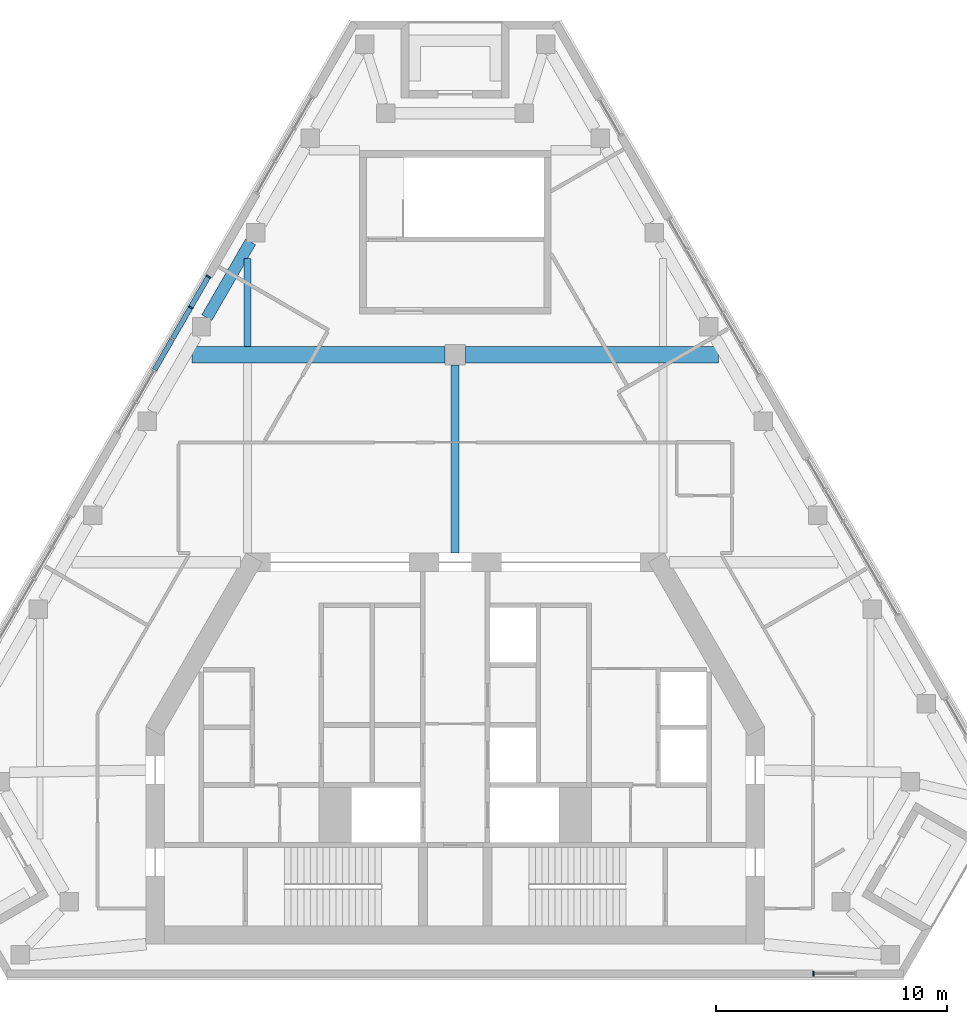
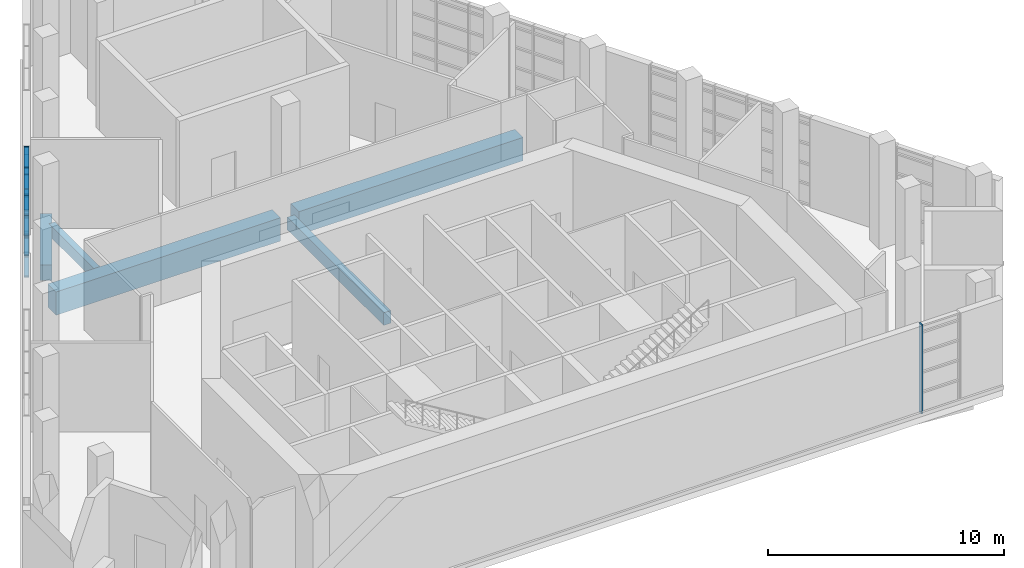
# One storey, part 3 of 13: 18 members, 5 beams, 2 elements without a shape of their own.
"""IFC4 building model written with IfcOpenShell, lengths in metres."""

from ifc_helpers import new_model, si_unit, direction, frame, origin, origin_2d, place, context, subcontext, project, spatial, rectangle, extrude, material, material_profile, profile_set, type_object, element, aggregate, save


model = new_model("IFC4")

# Units and contexts
model_context = context("Model", 3, precision=1e-05, world=origin(), true_north=direction((0.0, 1.0)))
body_context = subcontext(model_context, "Body", "Model", "MODEL_VIEW")
ifc_project = project(units=[si_unit("LENGTHUNIT", "METRE"), si_unit("AREAUNIT", "SQUARE_METRE"), si_unit("VOLUMEUNIT", "CUBIC_METRE"), si_unit("PLANEANGLEUNIT", "RADIAN"), si_unit("MASSUNIT", "GRAM", prefix="KILO")], contexts=[model_context])

# Site, building, storey
site_placement = place(None, origin())
site = spatial("IfcSite", under=ifc_project, at=site_placement, CompositionType="ELEMENT")
building_placement = place(site_placement, origin())
building = spatial("IfcBuilding", under=site, at=building_placement, Name="Fogline Exchange Tower", CompositionType="ELEMENT")
storey_placement = place(building_placement, frame((0.0, 0.0, 339.300048828125)))
storey = spatial("IfcBuildingStorey", under=building, at=storey_placement, Name="L77", CompositionType="ELEMENT", Elevation=339.300048828125)

# Beams
ifc_material_1 = material(Name="Concrete C40", Category="concrete")
ifc_material_profile_1 = material_profile(ifc_material_1, rectangle(XDim=0.300048828125, YDim=0.60009765625, at=origin_2d()), Name="RC 300x600")
ifc_profile_set_1 = profile_set([ifc_material_profile_1], Name="Concrete C40")
beam_type_1 = type_object("IfcBeamType", Name="B06", PredefinedType="BEAM", material=ifc_profile_set_1)
beam_1_placement = place(storey_placement, frame((-9.0, 27.35009765625, -0.699951171875), z_axis=(0.0, 1.0, 0.0), x_axis=(-1.0, 0.0, 0.0)))
element("IfcBeam", 1, at=beam_1_placement, inside=storey, type_object=beam_type_1, Name="SB004", PredefinedType="BEAM", context=body_context, shape_type="SweptSolid", body=[
    extrude(rectangle(XDim=0.300048828125, YDim=0.60009765625, at=origin_2d()), origin(), (0.0, 0.0, 1.0), 3.812255859375),
])
ifc_material_profile_2 = material_profile(ifc_material_1, rectangle(XDim=0.5, YDim=0.800048828125, at=origin_2d()), Name="RC 500x800")
ifc_profile_set_2 = profile_set([ifc_material_profile_2], Name="Concrete C40")
beam_type_2 = type_object("IfcBeamType", Name="B10", PredefinedType="BEAM", material=ifc_profile_set_2)
beam_2_placement = place(storey_placement, frame((-8.867919921875, 31.89111328125, -0.800048828125), z_axis=(-0.499969613651, -0.86604294664, 0.0), x_axis=(0.86604294664, -0.499969613651, 0.0)))
element("IfcBeam", 2, at=beam_2_placement, inside=storey, type_object=beam_type_2, Name="RB022", PredefinedType="BEAM", context=body_context, shape_type="SweptSolid", body=[
    extrude(rectangle(XDim=0.5, YDim=0.800048828125, at=origin_2d()), origin(), (0.0, 0.0, 1.0), 3.790771484375),
])
ifc_material_profile_3 = material_profile(ifc_material_1, rectangle(XDim=0.35009765625, YDim=0.64990234375, at=origin_2d()), Name="RC 350x650")
ifc_profile_set_3 = profile_set([ifc_material_profile_3], Name="Concrete C40")
beam_type_3 = type_object("IfcBeamType", Name="B16", PredefinedType="BEAM", material=ifc_profile_set_3)
beam_3_placement = place(storey_placement, frame((0.0, 18.39990234375, -0.72509765625), z_axis=(0.0, 1.0, 0.0), x_axis=(-1.0, 0.0, 0.0)))
element("IfcBeam", 3, at=beam_3_placement, inside=storey, type_object=beam_type_3, Name="SB005", PredefinedType="BEAM", context=body_context, shape_type="SweptSolid", body=[
    extrude(rectangle(XDim=0.35009765625, YDim=0.64990234375, at=origin_2d()), origin(), (0.0, 0.0, 1.0), 8.150146484375),
])
ifc_material_profile_4 = material_profile(ifc_material_1, rectangle(XDim=0.699951171875, YDim=1.199951171875, at=origin_2d()), Name="RC 700x1200")
ifc_profile_set_4 = profile_set([ifc_material_profile_4], Name="Concrete C40")
beam_type_4 = type_object("IfcBeamType", Name="B17", PredefinedType="BEAM", material=ifc_profile_set_4)
for number, where, z_axis, x_axis, name in (
    (4, (-11.4033203125, 27.0, -1.0), (1.0, 0.0, 0.0), (0.0, 1.0, 0.0), "GB005"),
    (5, (0.449951171875, 27.0, -1.0), (1.0, 0.0, 0.0), (0.0, 1.0, 0.0), "GB006"),
):
    element("IfcBeam", number, at=place(storey_placement, frame(where, z_axis=z_axis, x_axis=x_axis)), inside=storey, type_object=beam_type_4, Name=name, PredefinedType="BEAM", context=body_context, shape_type="SweptSolid", body=[
        extrude(rectangle(XDim=0.699951171875, YDim=1.199951171875, at=origin_2d()), origin(), (0.0, 0.0, 1.0), 10.953369140625),
    ])

# Curtain wall, member
ifc_material_2 = material(Name="Aluminium and glass", Category="aluminium")
curtain_wall_type = type_object("IfcCurtainWallType", Name="CW5", PredefinedType="NOTDEFINED", material=ifc_material_2)
curtain_wall_1_placement = place(storey_placement, origin())
curtain_wall_1 = element("IfcCurtainWall", 6, at=curtain_wall_1_placement, inside=storey, type_object=curtain_wall_type, Name="CW5 L77 S run 1", PredefinedType="NOTDEFINED")
ifc_material_3 = material(Name="Aluminium", Category="aluminium")
ifc_material_profile_5 = material_profile(ifc_material_3, rectangle(XDim=0.219970703125, YDim=0.06494140625, at=origin_2d()), Name="Mullion 65x220")
ifc_profile_set_5 = profile_set([ifc_material_profile_5], Name="Aluminium")
member_type_1 = type_object("IfcMemberType", Name="CW5-M", PredefinedType="MULLION", material=ifc_profile_set_5)
member_1_placement = place(storey_placement, frame((15.532470703125, 0.169921875, 0.0), z_axis=(0.0, 0.0, 1.0), x_axis=(0.0, 1.0, 0.0)))
member_1 = element("IfcMember", 7, at=member_1_placement, type_object=member_type_1, Name="CW5-T25-01 mullion 1", PredefinedType="MULLION", context=body_context, shape_type="SweptSolid", body=[
    extrude(rectangle(XDim=0.219970703125, YDim=0.06494140625, at=origin_2d()), origin(), (0.0, 0.0, 1.0), 4.599853515625),
])
aggregate(curtain_wall_1, [member_1])

# Curtain wall, members
curtain_wall_2_placement = place(storey_placement, origin())
curtain_wall_2 = element("IfcCurtainWall", 8, at=curtain_wall_2_placement, inside=storey, type_object=curtain_wall_type, Name="CW5 L77 W run 2", PredefinedType="NOTDEFINED")
member_2_placement = place(storey_placement, frame((-10.6953125, 30.385986328125, 0.0), z_axis=(0.0, 0.0, 1.0), x_axis=(0.866025393993, -0.500000016959, 0.0)))
member_2 = element("IfcMember", 9, at=member_2_placement, type_object=member_type_1, Name="CW5-T25-07 mullion 1", PredefinedType="MULLION", context=body_context, shape_type="SweptSolid", body=[
    extrude(rectangle(XDim=0.219970703125, YDim=0.06494140625, at=origin_2d()), origin(), (0.0, 0.0, 1.0), 4.599853515625),
])
member_3_placement = place(storey_placement, frame((-11.467529296875, 29.048583984375, 0.0), z_axis=(0.0, 0.0, 1.0), x_axis=(0.866025393993, -0.500000016959, 0.0)))
member_3 = element("IfcMember", 10, at=member_3_placement, type_object=member_type_1, Name="CW5-T25-07 mullion 2", PredefinedType="MULLION", context=body_context, shape_type="SweptSolid", body=[
    extrude(rectangle(XDim=0.219970703125, YDim=0.06494140625, at=origin_2d()), origin(), (0.0, 0.0, 1.0), 4.599853515625),
])
ifc_material_profile_6 = material_profile(ifc_material_3, rectangle(XDim=0.219970703125, YDim=0.080078125, at=origin_2d()), Name="Transom 80x220")
ifc_profile_set_6 = profile_set([ifc_material_profile_6], Name="Aluminium")
member_type_2 = type_object("IfcMemberType", Name="CW5-T", PredefinedType="USERDEFINED", material=ifc_profile_set_6)
member_4_placement = place(storey_placement, frame((-10.71142578125, 30.35791015625, 0.0400390625), z_axis=(-0.500008142102, -0.866020702889, 0.0), x_axis=(0.866020702889, -0.500008142102, 0.0)))
member_4 = element("IfcMember", 11, at=member_4_placement, type_object=member_type_2, Name="CW5-T25-07 transom 1.1", ObjectType="TRANSOM", PredefinedType="USERDEFINED", context=body_context, shape_type="SweptSolid", body=[
    extrude(rectangle(XDim=0.219970703125, YDim=0.080078125, at=origin_2d()), origin(), (0.0, 0.0, 1.0), 1.4794921875),
])
member_5_placement = place(storey_placement, frame((-10.71142578125, 30.35791015625, 1.099853515625), z_axis=(-0.500008142102, -0.866020702889, 0.0), x_axis=(0.866020702889, -0.500008142102, 0.0)))
member_5 = element("IfcMember", 12, at=member_5_placement, type_object=member_type_2, Name="CW5-T25-07 transom 1.2", ObjectType="TRANSOM", PredefinedType="USERDEFINED", context=body_context, shape_type="SweptSolid", body=[
    extrude(rectangle(XDim=0.219970703125, YDim=0.080078125, at=origin_2d()), origin(), (0.0, 0.0, 1.0), 1.4794921875),
])
member_6_placement = place(storey_placement, frame((-10.71142578125, 30.35791015625, 2.13330078125), z_axis=(-0.500008142102, -0.866020702889, 0.0), x_axis=(0.866020702889, -0.500008142102, 0.0)))
member_6 = element("IfcMember", 13, at=member_6_placement, type_object=member_type_2, Name="CW5-T25-07 transom 1.3", ObjectType="TRANSOM", PredefinedType="USERDEFINED", context=body_context, shape_type="SweptSolid", body=[
    extrude(rectangle(XDim=0.219970703125, YDim=0.080078125, at=origin_2d()), origin(), (0.0, 0.0, 1.0), 1.4794921875),
])
member_7_placement = place(storey_placement, frame((-10.71142578125, 30.35791015625, 3.166748046875), z_axis=(-0.500008142102, -0.866020702889, 0.0), x_axis=(0.866020702889, -0.500008142102, 0.0)))
member_7 = element("IfcMember", 14, at=member_7_placement, type_object=member_type_2, Name="CW5-T25-07 transom 1.4", ObjectType="TRANSOM", PredefinedType="USERDEFINED", context=body_context, shape_type="SweptSolid", body=[
    extrude(rectangle(XDim=0.219970703125, YDim=0.080078125, at=origin_2d()), origin(), (0.0, 0.0, 1.0), 1.4794921875),
])
member_8_placement = place(storey_placement, frame((-10.71142578125, 30.35791015625, 4.199951171875), z_axis=(-0.500008142102, -0.866020702889, 0.0), x_axis=(0.866020702889, -0.500008142102, 0.0)))
member_8 = element("IfcMember", 15, at=member_8_placement, type_object=member_type_2, Name="CW5-T25-07 transom 1.5", ObjectType="TRANSOM", PredefinedType="USERDEFINED", context=body_context, shape_type="SweptSolid", body=[
    extrude(rectangle(XDim=0.219970703125, YDim=0.080078125, at=origin_2d()), origin(), (0.0, 0.0, 1.0), 1.4794921875),
])
member_9_placement = place(storey_placement, frame((-10.71142578125, 30.35791015625, 4.56005859375), z_axis=(-0.500008142102, -0.866020702889, 0.0), x_axis=(0.866020702889, -0.500008142102, 0.0)))
member_9 = element("IfcMember", 16, at=member_9_placement, type_object=member_type_2, Name="CW5-T25-07 transom 1.6", ObjectType="TRANSOM", PredefinedType="USERDEFINED", context=body_context, shape_type="SweptSolid", body=[
    extrude(rectangle(XDim=0.219970703125, YDim=0.080078125, at=origin_2d()), origin(), (0.0, 0.0, 1.0), 1.4794921875),
])
member_10_placement = place(storey_placement, frame((-11.48388671875, 29.020263671875, 0.0400390625), z_axis=(-0.499960093054, -0.866048442845, 0.0), x_axis=(0.866048442845, -0.499960093054, 0.0)))
member_10 = element("IfcMember", 17, at=member_10_placement, type_object=member_type_2, Name="CW5-T25-07 transom 2.1", ObjectType="TRANSOM", PredefinedType="USERDEFINED", context=body_context, shape_type="SweptSolid", body=[
    extrude(rectangle(XDim=0.219970703125, YDim=0.080078125, at=origin_2d()), origin(), (0.0, 0.0, 1.0), 1.51171875),
])
member_11_placement = place(storey_placement, frame((-11.48388671875, 29.020263671875, 1.099853515625), z_axis=(-0.499960093054, -0.866048442845, 0.0), x_axis=(0.866048442845, -0.499960093054, 0.0)))
member_11 = element("IfcMember", 18, at=member_11_placement, type_object=member_type_2, Name="CW5-T25-07 transom 2.2", ObjectType="TRANSOM", PredefinedType="USERDEFINED", context=body_context, shape_type="SweptSolid", body=[
    extrude(rectangle(XDim=0.219970703125, YDim=0.080078125, at=origin_2d()), origin(), (0.0, 0.0, 1.0), 1.51171875),
])
member_12_placement = place(storey_placement, frame((-11.48388671875, 29.020263671875, 2.13330078125), z_axis=(-0.499960093054, -0.866048442845, 0.0), x_axis=(0.866048442845, -0.499960093054, 0.0)))
member_12 = element("IfcMember", 19, at=member_12_placement, type_object=member_type_2, Name="CW5-T25-07 transom 2.3", ObjectType="TRANSOM", PredefinedType="USERDEFINED", context=body_context, shape_type="SweptSolid", body=[
    extrude(rectangle(XDim=0.219970703125, YDim=0.080078125, at=origin_2d()), origin(), (0.0, 0.0, 1.0), 1.51171875),
])
member_13_placement = place(storey_placement, frame((-11.48388671875, 29.020263671875, 3.166748046875), z_axis=(-0.499960093054, -0.866048442845, 0.0), x_axis=(0.866048442845, -0.499960093054, 0.0)))
member_13 = element("IfcMember", 20, at=member_13_placement, type_object=member_type_2, Name="CW5-T25-07 transom 2.4", ObjectType="TRANSOM", PredefinedType="USERDEFINED", context=body_context, shape_type="SweptSolid", body=[
    extrude(rectangle(XDim=0.219970703125, YDim=0.080078125, at=origin_2d()), origin(), (0.0, 0.0, 1.0), 1.51171875),
])
member_14_placement = place(storey_placement, frame((-11.48388671875, 29.020263671875, 4.199951171875), z_axis=(-0.499960093054, -0.866048442845, 0.0), x_axis=(0.866048442845, -0.499960093054, 0.0)))
member_14 = element("IfcMember", 21, at=member_14_placement, type_object=member_type_2, Name="CW5-T25-07 transom 2.5", ObjectType="TRANSOM", PredefinedType="USERDEFINED", context=body_context, shape_type="SweptSolid", body=[
    extrude(rectangle(XDim=0.219970703125, YDim=0.080078125, at=origin_2d()), origin(), (0.0, 0.0, 1.0), 1.51171875),
])
member_15_placement = place(storey_placement, frame((-11.48388671875, 29.020263671875, 4.56005859375), z_axis=(-0.499960093054, -0.866048442845, 0.0), x_axis=(0.866048442845, -0.499960093054, 0.0)))
member_15 = element("IfcMember", 22, at=member_15_placement, type_object=member_type_2, Name="CW5-T25-07 transom 2.6", ObjectType="TRANSOM", PredefinedType="USERDEFINED", context=body_context, shape_type="SweptSolid", body=[
    extrude(rectangle(XDim=0.219970703125, YDim=0.080078125, at=origin_2d()), origin(), (0.0, 0.0, 1.0), 1.51171875),
])
member_16_placement = place(storey_placement, frame((-12.272216796875, 27.654541015625, 3.166748046875), z_axis=(-0.500081199194, -0.865978518332, 0.0), x_axis=(0.865978518332, -0.500081199194, 0.0)))
member_16 = element("IfcMember", 23, at=member_16_placement, type_object=member_type_2, Name="CW5-T25-07 transom 3.4", ObjectType="TRANSOM", PredefinedType="USERDEFINED", context=body_context, shape_type="SweptSolid", body=[
    extrude(rectangle(XDim=0.219970703125, YDim=0.080078125, at=origin_2d()), origin(), (0.0, 0.0, 1.0), 1.511962890625),
])
member_17_placement = place(storey_placement, frame((-12.272216796875, 27.654541015625, 4.199951171875), z_axis=(-0.500081199194, -0.865978518332, 0.0), x_axis=(0.865978518332, -0.500081199194, 0.0)))
member_17 = element("IfcMember", 24, at=member_17_placement, type_object=member_type_2, Name="CW5-T25-07 transom 3.5", ObjectType="TRANSOM", PredefinedType="USERDEFINED", context=body_context, shape_type="SweptSolid", body=[
    extrude(rectangle(XDim=0.219970703125, YDim=0.080078125, at=origin_2d()), origin(), (0.0, 0.0, 1.0), 1.511962890625),
])
member_18_placement = place(storey_placement, frame((-12.272216796875, 27.654541015625, 4.56005859375), z_axis=(-0.500081199194, -0.865978518332, 0.0), x_axis=(0.865978518332, -0.500081199194, 0.0)))
member_18 = element("IfcMember", 25, at=member_18_placement, type_object=member_type_2, Name="CW5-T25-07 transom 3.6", ObjectType="TRANSOM", PredefinedType="USERDEFINED", context=body_context, shape_type="SweptSolid", body=[
    extrude(rectangle(XDim=0.219970703125, YDim=0.080078125, at=origin_2d()), origin(), (0.0, 0.0, 1.0), 1.511962890625),
])
aggregate(curtain_wall_2, [member_2, member_3, member_4, member_5, member_6, member_7, member_8, member_9, member_10, member_11, member_12, member_13, member_14, member_15, member_16, member_17, member_18])

save(model, "model.ifc")
